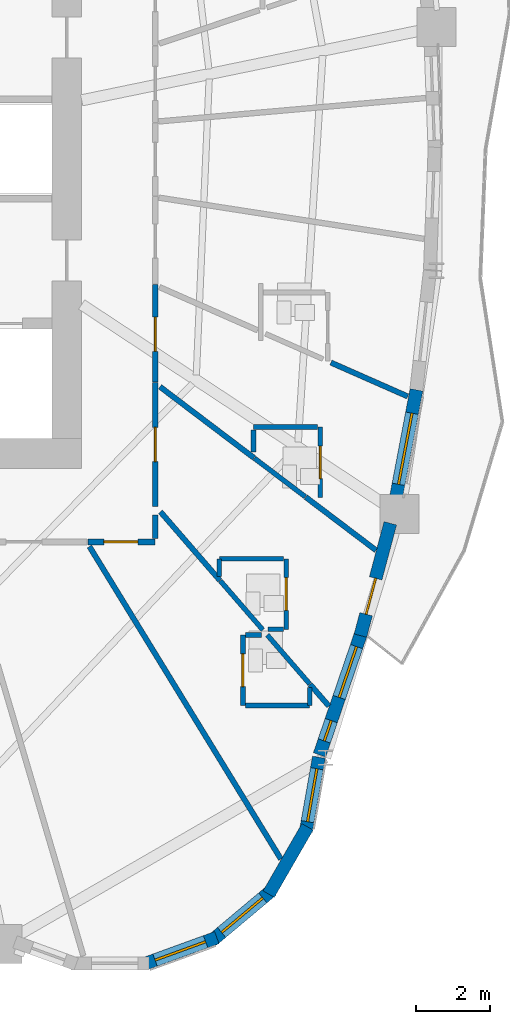
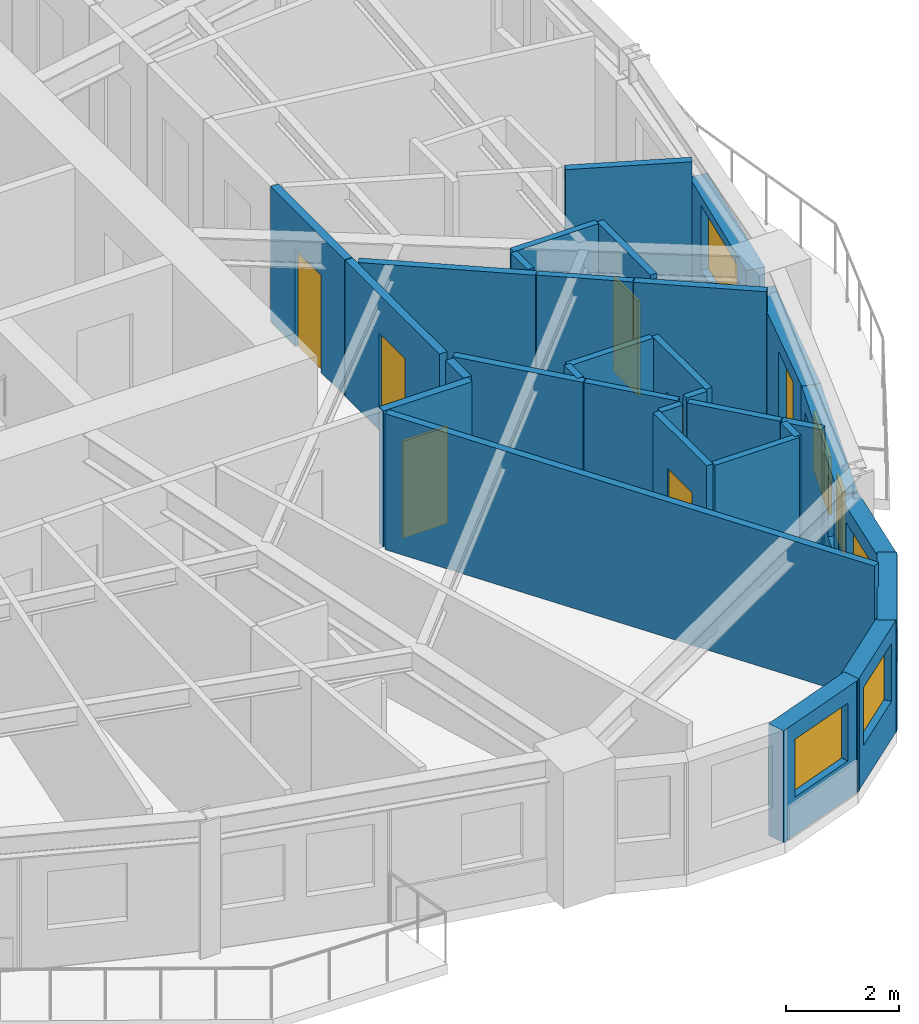
# One storey, part 6 of 13: 31 walls, 7 doors, 6 windows, 13 openings.
"""IFC4 building model written with IfcOpenShell, lengths in metres."""

from ifc_helpers import new_model, si_unit, direction, frame, frame_2d, origin, place, context, subcontext, project, spatial, rectangle, extrude, source, transform, mapped, material, layer, layer_set, type_object, element, fill, save


model = new_model("IFC4")

# Units and contexts
model_context = context("Model", 3, precision=1e-05, world=origin(), true_north=direction((0.0, 1.0)))
body_context = subcontext(model_context, "Body", "Model", "MODEL_VIEW")
ifc_project = project(units=[si_unit("LENGTHUNIT", "METRE"), si_unit("AREAUNIT", "SQUARE_METRE"), si_unit("VOLUMEUNIT", "CUBIC_METRE"), si_unit("PLANEANGLEUNIT", "RADIAN"), si_unit("MASSUNIT", "GRAM", prefix="KILO")], contexts=[model_context])

# Site, building, storey
site_placement = place(None, origin())
site = spatial("IfcSite", under=ifc_project, at=site_placement, CompositionType="ELEMENT")
building_placement = place(site_placement, origin())
building = spatial("IfcBuilding", under=site, at=building_placement, Name="Qafzar Sky-Pleat Residences", CompositionType="ELEMENT")
storey_placement = place(building_placement, frame((0.0, 0.0, 59.0)))
storey = spatial("IfcBuildingStorey", under=building, at=storey_placement, Name="L17", CompositionType="ELEMENT", Elevation=59.0)

# Wall, opening, door
ifc_material_1 = material(Name="Acoustic gypsum plasterboard partition", Category="gypsum")
ifc_layer_1 = layer(ifc_material_1, 0.159912109375)
ifc_layer_set_1 = layer_set([ifc_layer_1], Name="Acoustic gypsum plasterboard partition")
wall_type_1 = type_object("IfcWallType", Name="PART-COR-160", PredefinedType="PARTITIONING", material=ifc_layer_set_1)
wall_1_placement = place(storey_placement, frame((38.679931640625, 19.712890625, 0.0), z_axis=(0.0, 0.0, 1.0), x_axis=(0.0, -1.0, 0.0)))
wall_1 = element("IfcWall", 1, at=wall_1_placement, inside=storey, type_object=wall_type_1, Name="L17 Partition Wall PART-L17-PW-008", PredefinedType="PARTITIONING", context=body_context, shape_type="SweptSolid", body=[
    extrude(rectangle(XDim=3.343994140625, YDim=0.159912109375, at=frame_2d((1.671875, 0.0))), origin(), (0.0, 0.0, 1.0), 2.93994140625),
])
opening_1_placement = place(wall_1_placement, frame((1.2099609375, 0.0, 0.0)))
opening_1 = element("IfcOpeningElement", 2, at=opening_1_placement, cuts=wall_1, Name="Opening ID-04", PredefinedType="OPENING", context=body_context, shape_type="SweptSolid", body=[
    extrude(rectangle(XDim=0.919921875, YDim=2.10009765625, at=frame_2d((0.4599609375, 1.050048828125))), frame((0.0, 0.08984375, 0.0), z_axis=(0.0, -1.0, 0.0), x_axis=(1.0, 0.0, 0.0)), (0.0, 0.0, 1.0), 0.179931640625),
])
ifc_material_2 = material(Name="Timber-faced fire door", Category="wood")
door_type_1 = type_object("IfcDoorType", Name="DR-BED-920", OperationType="NOTDEFINED", PredefinedType="DOOR", material=ifc_material_2)
shared_shape_1 = source(origin(), body_context, "Body", "SweptSolid", [
    extrude(rectangle(XDim=0.919921875, YDim=2.10009765625, at=frame_2d((0.4599609375, 1.050048828125))), frame((0.0, 0.02490234375, 0.0), z_axis=(0.0, -1.0, 0.0), x_axis=(1.0, 0.0, 0.0)), (0.0, 0.0, 1.0), 0.050048828125),
])
door_1_placement = place(opening_1_placement, origin())
door_1 = element("IfcDoor", 3, at=door_1_placement, inside=storey, type_object=door_type_1, Name="L17 Co-Living Bedroom 2 Door", OperationType="SINGLE_SWING_RIGHT", OverallHeight=2.10009765625, OverallWidth=0.919921875, PredefinedType="DOOR", context=body_context, shape_type="MappedRepresentation", body=[
    mapped(shared_shape_1, transform((0.0, 0.0, 0.0), x_axis=(1.0, 0.0, 0.0), y_axis=(0.0, 1.0, 0.0), z_axis=(0.0, 0.0, 1.0), scale=1.0)),
])
fill(opening_1, door_1)

wall_2_placement = place(storey_placement, frame((38.679931640625, 22.347900390625, 0.0), z_axis=(0.0, 0.0, 1.0), x_axis=(0.0, -1.0, 0.0)))
wall_2 = element("IfcWall", 4, at=wall_2_placement, inside=storey, type_object=wall_type_1, Name="L17 Partition Wall PART-L17-PW-013", PredefinedType="PARTITIONING", context=body_context, shape_type="SweptSolid", body=[
    extrude(rectangle(XDim=2.619873046875, YDim=0.159912109375, at=frame_2d((1.31005859375, 0.0))), origin(), (0.0, 0.0, 1.0), 2.93994140625),
])
opening_2_placement = place(wall_2_placement, frame((0.87548828125, 0.0, 0.0)))
opening_2 = element("IfcOpeningElement", 5, at=opening_2_placement, cuts=wall_2, Name="Opening ID-04", PredefinedType="OPENING", context=body_context, shape_type="SweptSolid", body=[
    extrude(rectangle(XDim=0.919921875, YDim=2.10009765625, at=frame_2d((0.4599609375, 1.050048828125))), frame((0.0, 0.08984375, 0.0), z_axis=(0.0, -1.0, 0.0), x_axis=(1.0, 0.0, 0.0)), (0.0, 0.0, 1.0), 0.179931640625),
])
door_2_placement = place(opening_2_placement, origin())
door_2 = element("IfcDoor", 6, at=door_2_placement, inside=storey, type_object=door_type_1, Name="L17 Co-Living Bedroom 3 Door", OperationType="SINGLE_SWING_LEFT", OverallHeight=2.10009765625, OverallWidth=0.919921875, PredefinedType="DOOR", context=body_context, shape_type="MappedRepresentation", body=[
    mapped(shared_shape_1, transform((0.0, 0.0, 0.0), x_axis=(1.0, 0.0, 0.0), y_axis=(0.0, 1.0, 0.0), z_axis=(0.0, 0.0, 1.0), scale=1.0)),
])
fill(opening_2, door_2)

wall_3_placement = place(storey_placement, frame((38.679931640625, 15.419921875, 0.0), z_axis=(0.0, 0.0, 1.0), x_axis=(-1.0, 0.0, 0.0)))
wall_3 = element("IfcWall", 7, at=wall_3_placement, inside=storey, type_object=wall_type_1, Name="L17 Partition Wall PART-L17-PW-027", PredefinedType="PARTITIONING", context=body_context, shape_type="SweptSolid", body=[
    extrude(rectangle(XDim=1.81591796875, YDim=0.159912109375, at=frame_2d((0.907958984375, 0.0))), origin(), (0.0, 0.0, 1.0), 2.93994140625),
])
opening_3_placement = place(wall_3_placement, frame((0.464111328125, 0.0, 0.0)))
opening_3 = element("IfcOpeningElement", 8, at=opening_3_placement, cuts=wall_3, Name="Opening ID-04", PredefinedType="OPENING", context=body_context, shape_type="SweptSolid", body=[
    extrude(rectangle(XDim=0.919921875, YDim=2.10009765625, at=frame_2d((0.4599609375, 1.050048828125))), frame((0.0, 0.08984375, 0.0), z_axis=(0.0, -1.0, 0.0), x_axis=(1.0, 0.0, 0.0)), (0.0, 0.0, 1.0), 0.179931640625),
])
door_3_placement = place(opening_3_placement, origin())
door_3 = element("IfcDoor", 9, at=door_3_placement, inside=storey, type_object=door_type_1, Name="L17 Co-Living Bedroom 1 Door", OperationType="SINGLE_SWING_LEFT", OverallHeight=2.10009765625, OverallWidth=0.919921875, PredefinedType="DOOR", context=body_context, shape_type="MappedRepresentation", body=[
    mapped(shared_shape_1, transform((0.0, 0.0, 0.0), x_axis=(1.0, 0.0, 0.0), y_axis=(0.0, 1.0, 0.0), z_axis=(0.0, 0.0, 1.0), scale=1.0)),
])
fill(opening_3, door_3)

# Walls
wall_4_placement = place(storey_placement, frame((38.679931640625, 15.508056640625, 0.0), z_axis=(0.0, 0.0, 1.0), x_axis=(0.0, 1.0, 0.0)))
element("IfcWall", 10, at=wall_4_placement, inside=storey, type_object=wall_type_1, Name="L17 Partition Wall PART-L17-PW-084", PredefinedType="PARTITIONING", context=body_context, shape_type="SweptSolid", body=[
    extrude(rectangle(XDim=0.635009765625, YDim=0.159912109375, at=frame_2d((0.3173828125, 0.0))), origin(), (0.0, 0.0, 1.0), 2.93994140625),
])
ifc_layer_2 = layer(ifc_material_1, 0.14501953125)
ifc_layer_set_2 = layer_set([ifc_layer_2], Name="Acoustic gypsum plasterboard partition")
wall_type_2 = type_object("IfcWallType", Name="PART-UNIT-145", PredefinedType="PARTITIONING", material=ifc_layer_set_2)
wall_5_placement = place(storey_placement, frame((36.908447265625, 15.29541015625, 0.0), z_axis=(0.0, 0.0, 1.0), x_axis=(0.522407183079, -0.852696156358, 0.0)))
element("IfcWall", 11, at=wall_5_placement, inside=storey, type_object=wall_type_2, Name="L17 Partition Wall PART-L17-PW-038", PredefinedType="PARTITIONING", context=body_context, shape_type="SweptSolid", body=[
    extrude(rectangle(XDim=9.8701171875, YDim=0.14501953125, at=frame_2d((4.93505859375, 0.0))), origin(), (0.0, 0.0, 1.0), 2.93994140625),
])
wall_6_placement = place(storey_placement, frame((38.81005859375, 19.595458984375, 0.0), z_axis=(0.0, 0.0, 1.0), x_axis=(0.797304275437, -0.603577577756, 0.0)))
element("IfcWall", 12, at=wall_6_placement, inside=storey, type_object=wall_type_2, Name="L17 Partition Wall PART-L17-PW-052", PredefinedType="PARTITIONING", context=body_context, shape_type="SweptSolid", body=[
    extrude(rectangle(XDim=3.172119140625, YDim=0.14501953125, at=frame_2d((1.5859375, 0.0))), origin(), (0.0, 0.0, 1.0), 2.93994140625),
])
wall_7_placement = place(storey_placement, frame((38.820068359375, 16.23046875, 0.0), z_axis=(0.0, 0.0, 1.0), x_axis=(0.655037088123, -0.755596726556, 0.0)))
element("IfcWall", 13, at=wall_7_placement, inside=storey, type_object=wall_type_2, Name="L17 Partition Wall PART-L17-PW-055", PredefinedType="PARTITIONING", context=body_context, shape_type="SweptSolid", body=[
    extrude(rectangle(XDim=2.4423828125, YDim=0.14501953125, at=frame_2d((1.22119140625, 0.0))), origin(), (0.0, 0.0, 1.0), 2.93994140625),
])
wall_8_placement = place(storey_placement, frame((43.40966796875, 20.248291015625, 0.0), z_axis=(0.0, 0.0, 1.0), x_axis=(0.915032786041, -0.403379474527, 0.0)))
element("IfcWall", 14, at=wall_8_placement, inside=storey, type_object=wall_type_2, Name="L17 Partition Wall PART-L17-PW-057", PredefinedType="PARTITIONING", context=body_context, shape_type="SweptSolid", body=[
    extrude(rectangle(XDim=2.25927734375, YDim=0.14501953125, at=frame_2d((1.129638671875, 0.0))), origin(), (0.0, 0.0, 1.0), 2.93994140625),
])
wall_9_placement = place(storey_placement, frame((42.73291015625, 16.6259765625, 0.0), z_axis=(0.0, 0.0, 1.0), x_axis=(0.797372907097, -0.603486907089, 0.0)))
element("IfcWall", 15, at=wall_9_placement, inside=storey, type_object=wall_type_2, Name="L17 Partition Wall PART-L17-PW-058", PredefinedType="PARTITIONING", context=body_context, shape_type="SweptSolid", body=[
    extrude(rectangle(XDim=2.37109375, YDim=0.14501953125, at=frame_2d((1.185546875, 0.0))), origin(), (0.0, 0.0, 1.0), 2.93994140625),
])
wall_10_placement = place(storey_placement, frame((42.848876953125, 11.583740234375, 0.0), z_axis=(0.0, 0.0, 1.0), x_axis=(0.655530542193, -0.755168662123, 0.0)))
element("IfcWall", 16, at=wall_10_placement, inside=storey, type_object=wall_type_2, Name="L17 Partition Wall PART-L17-PW-086", PredefinedType="PARTITIONING", context=body_context, shape_type="SweptSolid", body=[
    extrude(rectangle(XDim=0.774169921875, YDim=0.14501953125, at=frame_2d((0.38720703125, 0.0))), origin(), (0.0, 0.0, 1.0), 2.93994140625),
])

# Wall, opening, door
ifc_material_3 = material(Name="Moisture-resistant gypsum partition", Category="gypsum")
ifc_layer_3 = layer(ifc_material_3, 0.1298828125)
ifc_layer_set_3 = layer_set([ifc_layer_3], Name="Moisture-resistant gypsum partition")
wall_type_3 = type_object("IfcWallType", Name="PART-WET-130", PredefinedType="PARTITIONING", material=ifc_layer_set_3)
wall_11_placement = place(storey_placement, frame((41.0390625, 12.9140625, 0.0), z_axis=(0.0, 0.0, 1.0), x_axis=(0.0, -1.0, 0.0)))
wall_11 = element("IfcWall", 17, at=wall_11_placement, inside=storey, type_object=wall_type_3, Name="L17 Partition Wall PART-L17-PW-020", PredefinedType="PARTITIONING", context=body_context, shape_type="SweptSolid", body=[
    extrude(rectangle(XDim=1.900146484375, YDim=0.1298828125, at=frame_2d((0.9501953125, 0.0))), origin(), (0.0, 0.0, 1.0), 2.93994140625),
])
opening_4_placement = place(wall_11_placement, frame((0.510009765625, 0.0, 0.0)))
opening_4 = element("IfcOpeningElement", 18, at=opening_4_placement, cuts=wall_11, Name="Opening ID-07", PredefinedType="OPENING", context=body_context, shape_type="SweptSolid", body=[
    extrude(rectangle(XDim=0.8798828125, YDim=2.050048828125, at=frame_2d((0.43994140625, 1.02490234375))), frame((0.0, 0.074951171875, 0.0), z_axis=(0.0, -1.0, 0.0), x_axis=(1.0, 0.0, 0.0)), (0.0, 0.0, 1.0), 0.14990234375),
])
door_type_2 = type_object("IfcDoorType", Name="DR-WET-880", OperationType="NOTDEFINED", PredefinedType="DOOR", material=ifc_material_2)
shared_shape_2 = source(origin(), body_context, "Body", "SweptSolid", [
    extrude(rectangle(XDim=0.8798828125, YDim=2.050048828125, at=frame_2d((0.43994140625, 1.02490234375))), frame((0.0, 0.02490234375, 0.0), z_axis=(0.0, -1.0, 0.0), x_axis=(1.0, 0.0, 0.0)), (0.0, 0.0, 1.0), 0.050048828125),
])
door_4_placement = place(opening_4_placement, origin())
door_4 = element("IfcDoor", 19, at=door_4_placement, inside=storey, type_object=door_type_2, Name="L17 En-suite Bathroom 1 Door", OperationType="SINGLE_SWING_RIGHT", OverallHeight=2.050048828125, OverallWidth=0.8798828125, PredefinedType="DOOR", context=body_context, shape_type="MappedRepresentation", body=[
    mapped(shared_shape_2, transform((0.0, 0.0, 0.0), x_axis=(1.0, 0.0, 0.0), y_axis=(0.0, 1.0, 0.0), z_axis=(0.0, 0.0, 1.0), scale=1.0)),
])
fill(opening_4, door_4)

wall_12_placement = place(storey_placement, frame((42.205078125, 13.06591796875, 0.0), z_axis=(0.0, 0.0, 1.0), x_axis=(0.0, 1.0, 0.0)))
wall_12 = element("IfcWall", 20, at=wall_12_placement, inside=storey, type_object=wall_type_3, Name="L17 Partition Wall PART-L17-PW-022", PredefinedType="PARTITIONING", context=body_context, shape_type="SweptSolid", body=[
    extrude(rectangle(XDim=1.900146484375, YDim=0.1298828125, at=frame_2d((0.9501953125, 0.0))), origin(), (0.0, 0.0, 1.0), 2.93994140625),
])
opening_5_placement = place(wall_12_placement, frame((0.510009765625, 0.0, 0.0)))
opening_5 = element("IfcOpeningElement", 21, at=opening_5_placement, cuts=wall_12, Name="Opening ID-07", PredefinedType="OPENING", context=body_context, shape_type="SweptSolid", body=[
    extrude(rectangle(XDim=0.8798828125, YDim=2.050048828125, at=frame_2d((0.43994140625, 1.02490234375))), frame((0.0, 0.074951171875, 0.0), z_axis=(0.0, -1.0, 0.0), x_axis=(1.0, 0.0, 0.0)), (0.0, 0.0, 1.0), 0.14990234375),
])
door_5_placement = place(opening_5_placement, origin())
door_5 = element("IfcDoor", 22, at=door_5_placement, inside=storey, type_object=door_type_2, Name="L17 En-suite Bathroom 2 Door", OperationType="SINGLE_SWING_RIGHT", OverallHeight=2.050048828125, OverallWidth=0.8798828125, PredefinedType="DOOR", context=body_context, shape_type="MappedRepresentation", body=[
    mapped(shared_shape_2, transform((0.0, 0.0, 0.0), x_axis=(1.0, 0.0, 0.0), y_axis=(0.0, 1.0, 0.0), z_axis=(0.0, 0.0, 1.0), scale=1.0)),
])
fill(opening_5, door_5)

wall_13_placement = place(storey_placement, frame((43.1240234375, 16.611083984375, 0.0), z_axis=(0.0, 0.0, 1.0), x_axis=(0.0, 1.0, 0.0)))
wall_13 = element("IfcWall", 23, at=wall_13_placement, inside=storey, type_object=wall_type_3, Name="L17 Partition Wall PART-L17-PW-023", PredefinedType="PARTITIONING", context=body_context, shape_type="SweptSolid", body=[
    extrude(rectangle(XDim=1.89990234375, YDim=0.1298828125, at=frame_2d((0.949951171875, 0.0))), origin(), (0.0, 0.0, 1.0), 2.93994140625),
])
opening_6_placement = place(wall_13_placement, frame((0.510009765625, 0.0, 0.0)))
opening_6 = element("IfcOpeningElement", 24, at=opening_6_placement, cuts=wall_13, Name="Opening ID-07", PredefinedType="OPENING", context=body_context, shape_type="SweptSolid", body=[
    extrude(rectangle(XDim=0.8798828125, YDim=2.050048828125, at=frame_2d((0.43994140625, 1.02490234375))), frame((0.0, 0.074951171875, 0.0), z_axis=(0.0, -1.0, 0.0), x_axis=(1.0, 0.0, 0.0)), (0.0, 0.0, 1.0), 0.14990234375),
])
door_6_placement = place(opening_6_placement, origin())
door_6 = element("IfcDoor", 25, at=door_6_placement, inside=storey, type_object=door_type_2, Name="L17 En-suite Bathroom 3 Door", OperationType="SINGLE_SWING_LEFT", OverallHeight=2.050048828125, OverallWidth=0.8798828125, PredefinedType="DOOR", context=body_context, shape_type="MappedRepresentation", body=[
    mapped(shared_shape_2, transform((0.0, 0.0, 0.0), x_axis=(1.0, 0.0, 0.0), y_axis=(0.0, 1.0, 0.0), z_axis=(0.0, 0.0, 1.0), scale=1.0)),
])
fill(opening_6, door_6)

# Walls
for number, where, z_axis, x_axis, name in (
    (26, (41.323974609375, 18.510986328125, 0.0), (0.0, 0.0, 1.0), (1.0, 0.0, 0.0), "L17 Partition Wall PART-L17-PW-064"),
    (27, (41.112060546875, 11.013916015625, 0.0), (0.0, 0.0, 1.0), (1.0, 0.0, 0.0), "L17 Partition Wall PART-L17-PW-068"),
    (28, (40.405029296875, 14.966064453125, 0.0), (0.0, 0.0, 1.0), (1.0, 0.0, 0.0), "L17 Partition Wall PART-L17-PW-069"),
):
    element("IfcWall", number, at=place(storey_placement, frame(where, z_axis=z_axis, x_axis=x_axis)), inside=storey, type_object=wall_type_3, Name=name, PredefinedType="PARTITIONING", context=body_context, shape_type="SweptSolid", body=[
        extrude(rectangle(XDim=1.72705078125, YDim=0.1298828125, at=frame_2d((0.863525390625, 0.0))), origin(), (0.0, 0.0, 1.0), 2.93994140625),
    ])
wall_14_placement = place(storey_placement, frame((40.429931640625, 14.373779296875, 0.0), z_axis=(0.0, 0.0, 1.0), x_axis=(0.655121637619, -0.755523421162, 0.0)))
element("IfcWall", 29, at=wall_14_placement, inside=storey, type_object=wall_type_3, Name="L17 Partition Wall PART-L17-PW-073", PredefinedType="PARTITIONING", context=body_context, shape_type="SweptSolid", body=[
    extrude(rectangle(XDim=1.750732421875, YDim=0.1298828125, at=frame_2d((0.87548828125, 0.0))), origin(), (0.0, 0.0, 1.0), 2.93994140625),
])
wall_15_placement = place(storey_placement, frame((41.696044921875, 12.9140625, 0.0), z_axis=(0.0, 0.0, 1.0), x_axis=(0.654882611276, -0.755730616985, 0.0)))
element("IfcWall", 30, at=wall_15_placement, inside=storey, type_object=wall_type_3, Name="L17 Partition Wall PART-L17-PW-074", PredefinedType="PARTITIONING", context=body_context, shape_type="SweptSolid", body=[
    extrude(rectangle(XDim=1.745361328125, YDim=0.1298828125, at=frame_2d((0.87255859375, 0.0))), origin(), (0.0, 0.0, 1.0), 2.93994140625),
])
wall_16_placement = place(storey_placement, frame((41.35107421875, 17.672119140625, 0.0), z_axis=(0.0, 0.0, 1.0), x_axis=(0.797400841938, -0.603449995672, 0.0)))
element("IfcWall", 31, at=wall_16_placement, inside=storey, type_object=wall_type_3, Name="L17 Partition Wall PART-L17-PW-075", PredefinedType="PARTITIONING", context=body_context, shape_type="SweptSolid", body=[
    extrude(rectangle(XDim=1.71826171875, YDim=0.1298828125, at=frame_2d((0.859130859375, 0.0))), origin(), (0.0, 0.0, 1.0), 2.93994140625),
])
wall_17_placement = place(storey_placement, frame((41.323974609375, 17.841064453125, 0.0), z_axis=(0.0, 0.0, 1.0), x_axis=(0.0, 1.0, 0.0)))
element("IfcWall", 32, at=wall_17_placement, inside=storey, type_object=wall_type_3, Name="L17 Partition Wall PART-L17-PW-085", PredefinedType="PARTITIONING", context=body_context, shape_type="SweptSolid", body=[
    extrude(rectangle(XDim=0.596923828125, YDim=0.1298828125, at=frame_2d((0.29833984375, 0.0))), origin(), (0.0, 0.0, 1.0), 2.93994140625),
])
wall_18_placement = place(storey_placement, frame((41.112060546875, 12.9140625, 0.0), z_axis=(0.0, 0.0, 1.0), x_axis=(1.0, 0.0, 0.0)))
element("IfcWall", 33, at=wall_18_placement, inside=storey, type_object=wall_type_3, Name="L17 Partition Wall PART-L17-PW-087", PredefinedType="PARTITIONING", context=body_context, shape_type="SweptSolid", body=[
    extrude(rectangle(XDim=0.43359375, YDim=0.1298828125, at=frame_2d((0.216796875, 0.0))), origin(), (0.0, 0.0, 1.0), 2.93994140625),
])
wall_19_placement = place(storey_placement, frame((41.71435546875, 13.06591796875, 0.0), z_axis=(0.0, 0.0, 1.0), x_axis=(1.0, 0.0, 0.0)))
element("IfcWall", 34, at=wall_19_placement, inside=storey, type_object=wall_type_3, Name="L17 Partition Wall PART-L17-PW-088", PredefinedType="PARTITIONING", context=body_context, shape_type="SweptSolid", body=[
    extrude(rectangle(XDim=0.417724609375, YDim=0.1298828125, at=frame_2d((0.208984375, 0.0))), origin(), (0.0, 0.0, 1.0), 2.93994140625),
])
wall_20_placement = place(storey_placement, frame((42.839111328125, 11.013916015625, 0.0), z_axis=(0.0, 0.0, 1.0), x_axis=(0.0, 1.0, 0.0)))
element("IfcWall", 35, at=wall_20_placement, inside=storey, type_object=wall_type_3, Name="L17 Partition Wall PART-L17-PW-089", PredefinedType="PARTITIONING", context=body_context, shape_type="SweptSolid", body=[
    extrude(rectangle(XDim=0.490966796875, YDim=0.1298828125, at=frame_2d((0.24560546875, 0.0))), origin(), (0.0, 0.0, 1.0), 2.93994140625),
])
wall_21_placement = place(storey_placement, frame((40.405029296875, 14.492919921875, 0.0), z_axis=(0.0, 0.0, 1.0), x_axis=(0.0, 1.0, 0.0)))
element("IfcWall", 36, at=wall_21_placement, inside=storey, type_object=wall_type_3, Name="L17 Partition Wall PART-L17-PW-090", PredefinedType="PARTITIONING", context=body_context, shape_type="SweptSolid", body=[
    extrude(rectangle(XDim=0.47314453125, YDim=0.1298828125, at=frame_2d((0.236572265625, 0.0))), origin(), (0.0, 0.0, 1.0), 2.93994140625),
])

# Wall, opening, window
ifc_material_4 = material(Name="Precast concrete C40/50 with honed Riyadh limestone", Category="concrete")
ifc_layer_4 = layer(ifc_material_4, 0.35009765625)
ifc_layer_set_4 = layer_set([ifc_layer_4], Name="Precast concrete C40/50 with honed Riyadh limestone")
wall_type_4 = type_object("IfcWallType", Name="WALL-EXT-350", PredefinedType="SOLIDWALL", material=ifc_layer_set_4)
wall_22_placement = place(storey_placement, frame((38.3740234375, 4.050048828125, 0.0), z_axis=(0.0, 0.0, 1.0), x_axis=(0.939711556618, 0.341968113072, 0.0)))
wall_22 = element("IfcWall", 37, at=wall_22_placement, inside=storey, type_object=wall_type_4, Name="L17 Limestone Facade Wall 19", PredefinedType="SOLIDWALL", context=body_context, shape_type="SweptSolid", body=[
    extrude(rectangle(XDim=2.09033203125, YDim=0.35009765625, at=frame_2d((1.045166015625, 0.0))), origin(), (0.0, 0.0, 1.0), 2.419921875),
])
opening_7_placement = place(wall_22_placement, frame((0.320068359375, 0.0, 0.820068359375)))
opening_7 = element("IfcOpeningElement", 38, at=opening_7_placement, cuts=wall_22, Name="Opening WN-15", PredefinedType="OPENING", context=body_context, shape_type="SweptSolid", body=[
    extrude(rectangle(XDim=1.449951171875, YDim=1.25, at=frame_2d((0.72509765625, 0.625))), frame((0.0, 0.18505859375, 0.0), z_axis=(0.0, -1.0, 0.0), x_axis=(1.0, 0.0, 0.0)), (0.0, 0.0, 1.0), 0.3701171875),
])
ifc_material_5 = material(Name="Solar-control low-E glass in bronze aluminium frame", Category="glass")
window_type_1 = type_object("IfcWindowType", Name="WIN-15", PartitioningType="SINGLE_PANEL", PredefinedType="WINDOW", material=ifc_material_5)
shared_shape_3 = source(origin(), body_context, "Body", "SweptSolid", [
    extrude(rectangle(XDim=1.449951171875, YDim=1.25, at=frame_2d((0.72509765625, 0.625))), frame((0.0, 0.030029296875, 0.0), z_axis=(0.0, -1.0, 0.0), x_axis=(1.0, 0.0, 0.0)), (0.0, 0.0, 1.0), 0.06005859375),
])
window_1_placement = place(opening_7_placement, origin())
window_1 = element("IfcWindow", 39, at=window_1_placement, inside=storey, type_object=window_type_1, Name="L17 Punched Facade Window 19", OverallHeight=1.25, OverallWidth=1.449951171875, PartitioningType="SINGLE_PANEL", PredefinedType="WINDOW", context=body_context, shape_type="MappedRepresentation", body=[
    mapped(shared_shape_3, transform((0.0, 0.0, 0.0), x_axis=(1.0, 0.0, 0.0), y_axis=(0.0, 1.0, 0.0), z_axis=(0.0, 0.0, 1.0), scale=1.0)),
])
fill(opening_7, window_1)

wall_23_placement = place(storey_placement, frame((40.220947265625, 4.697021484375, 0.0), z_axis=(0.0, 0.0, 1.0), x_axis=(0.766024572719, 0.642811289563, 0.0)))
wall_23 = element("IfcWall", 40, at=wall_23_placement, inside=storey, type_object=wall_type_4, Name="L17 Limestone Facade Wall 20", PredefinedType="SOLIDWALL", context=body_context, shape_type="SweptSolid", body=[
    extrude(rectangle(XDim=2.09033203125, YDim=0.35009765625, at=frame_2d((1.045166015625, 0.0))), origin(), (0.0, 0.0, 1.0), 2.419921875),
])
opening_8_placement = place(wall_23_placement, frame((0.3203125, 0.0, 0.820068359375)))
opening_8 = element("IfcOpeningElement", 41, at=opening_8_placement, cuts=wall_23, Name="Opening WN-15", PredefinedType="OPENING", context=body_context, shape_type="SweptSolid", body=[
    extrude(rectangle(XDim=1.449951171875, YDim=1.25, at=frame_2d((0.72509765625, 0.625))), frame((0.0, 0.18505859375, 0.0), z_axis=(0.0, -1.0, 0.0), x_axis=(1.0, 0.0, 0.0)), (0.0, 0.0, 1.0), 0.3701171875),
])
window_2_placement = place(opening_8_placement, origin())
window_2 = element("IfcWindow", 42, at=window_2_placement, inside=storey, type_object=window_type_1, Name="L17 Punched Facade Window 20", OverallHeight=1.25, OverallWidth=1.449951171875, PartitioningType="SINGLE_PANEL", PredefinedType="WINDOW", context=body_context, shape_type="MappedRepresentation", body=[
    mapped(shared_shape_3, transform((0.0, 0.0, 0.0), x_axis=(1.0, 0.0, 0.0), y_axis=(0.0, 1.0, 0.0), z_axis=(0.0, 0.0, 1.0), scale=1.0)),
])
fill(opening_8, window_2)

# Wall
wall_24_placement = place(storey_placement, frame((41.735107421875, 5.93701171875, 0.0), z_axis=(0.0, 0.0, 1.0), x_axis=(0.49990781971, 0.866078617559, 0.0)))
element("IfcWall", 43, at=wall_24_placement, inside=storey, type_object=wall_type_4, Name="L17 Limestone Facade Wall 21", PredefinedType="SOLIDWALL", context=body_context, shape_type="SweptSolid", body=[
    extrude(rectangle(XDim=2.09033203125, YDim=0.35009765625, at=frame_2d((1.045166015625, 0.0))), origin(), (0.0, 0.0, 1.0), 2.419921875),
])

# Wall, opening, window
wall_25_placement = place(storey_placement, frame((42.73388671875, 7.619873046875, 0.0), z_axis=(0.0, 0.0, 1.0), x_axis=(0.173607131876, 0.984814989611, 0.0)))
wall_25 = element("IfcWall", 44, at=wall_25_placement, inside=storey, type_object=wall_type_4, Name="L17 Limestone Facade Wall 22", PredefinedType="SOLIDWALL", context=body_context, shape_type="SweptSolid", body=[
    extrude(rectangle(XDim=2.031982421875, YDim=0.35009765625, at=frame_2d((1.01611328125, 0.0))), origin(), (0.0, 0.0, 1.0), 2.419921875),
])
opening_9_placement = place(wall_25_placement, frame((0.27001953125, 0.0, 0.820068359375)))
opening_9 = element("IfcOpeningElement", 45, at=opening_9_placement, cuts=wall_25, Name="Opening WN-15", PredefinedType="OPENING", context=body_context, shape_type="SweptSolid", body=[
    extrude(rectangle(XDim=1.449951171875, YDim=1.25, at=frame_2d((0.72509765625, 0.625))), frame((0.0, 0.18505859375, 0.0), z_axis=(0.0, -1.0, 0.0), x_axis=(1.0, 0.0, 0.0)), (0.0, 0.0, 1.0), 0.3701171875),
])
window_3_placement = place(opening_9_placement, origin())
window_3 = element("IfcWindow", 46, at=window_3_placement, inside=storey, type_object=window_type_1, Name="L17 Punched Facade Window 22", OverallHeight=1.25, OverallWidth=1.449951171875, PartitioningType="SINGLE_PANEL", PredefinedType="WINDOW", context=body_context, shape_type="MappedRepresentation", body=[
    mapped(shared_shape_3, transform((0.0, 0.0, 0.0), x_axis=(1.0, 0.0, 0.0), y_axis=(0.0, 1.0, 0.0), z_axis=(0.0, 0.0, 1.0), scale=1.0)),
])
fill(opening_9, window_3)

# Wall, openings, windows
wall_26_placement = place(storey_placement, frame((43.103515625, 9.68603515625, 0.0), z_axis=(0.0, 0.0, 1.0), x_axis=(0.323558843572, 0.946208050455, 0.0)))
wall_26 = element("IfcWall", 47, at=wall_26_placement, inside=storey, type_object=wall_type_4, Name="L17 Limestone Facade Wall 23", PredefinedType="SOLIDWALL", context=body_context, shape_type="SweptSolid", body=[
    extrude(rectangle(XDim=3.482177734375, YDim=0.35009765625, at=frame_2d((1.7412109375, 0.0))), origin(), (0.0, 0.0, 1.0), 2.419921875),
])
opening_10_placement = place(wall_26_placement, frame((0.39599609375, 0.0, 0.820068359375)))
opening_10 = element("IfcOpeningElement", 48, at=opening_10_placement, cuts=wall_26, Name="Opening WN-17", PredefinedType="OPENING", context=body_context, shape_type="SweptSolid", body=[
    extrude(rectangle(XDim=0.580078125, YDim=1.35009765625, at=frame_2d((0.2900390625, 0.675048828125))), frame((0.0, 0.18505859375, 0.0), z_axis=(0.0, -1.0, 0.0), x_axis=(1.0, 0.0, 0.0)), (0.0, 0.0, 1.0), 0.3701171875),
])
opening_11_placement = place(wall_26_placement, frame((1.632080078125, 0.0, 0.820068359375)))
opening_11 = element("IfcOpeningElement", 49, at=opening_11_placement, cuts=wall_26, Name="Opening WN-15", PredefinedType="OPENING", context=body_context, shape_type="SweptSolid", body=[
    extrude(rectangle(XDim=1.449951171875, YDim=1.25, at=frame_2d((0.72509765625, 0.625))), frame((0.0, 0.18505859375, 0.0), z_axis=(0.0, -1.0, 0.0), x_axis=(1.0, 0.0, 0.0)), (0.0, 0.0, 1.0), 0.3701171875),
])
window_4_placement = place(opening_11_placement, origin())
window_4 = element("IfcWindow", 50, at=window_4_placement, inside=storey, type_object=window_type_1, Name="L17 Punched Facade Window 23-2", OverallHeight=1.25, OverallWidth=1.449951171875, PartitioningType="SINGLE_PANEL", PredefinedType="WINDOW", context=body_context, shape_type="MappedRepresentation", body=[
    mapped(shared_shape_3, transform((0.0, 0.0, 0.0), x_axis=(1.0, 0.0, 0.0), y_axis=(0.0, 1.0, 0.0), z_axis=(0.0, 0.0, 1.0), scale=1.0)),
])
fill(opening_11, window_4)
window_type_2 = type_object("IfcWindowType", Name="WIN-17", PartitioningType="SINGLE_PANEL", PredefinedType="WINDOW", material=ifc_material_5)
shared_shape_4 = source(origin(), body_context, "Body", "SweptSolid", [
    extrude(rectangle(XDim=0.580078125, YDim=1.35009765625, at=frame_2d((0.2900390625, 0.675048828125))), frame((0.0, 0.030029296875, 0.0), z_axis=(0.0, -1.0, 0.0), x_axis=(1.0, 0.0, 0.0)), (0.0, 0.0, 1.0), 0.06005859375),
])
window_5_placement = place(opening_10_placement, origin())
window_5 = element("IfcWindow", 51, at=window_5_placement, inside=storey, type_object=window_type_2, Name="L17 Punched Facade Window 23", OverallHeight=1.35009765625, OverallWidth=0.580078125, PartitioningType="SINGLE_PANEL", PredefinedType="WINDOW", context=body_context, shape_type="MappedRepresentation", body=[
    mapped(shared_shape_4, transform((0.0, 0.0, 0.0), x_axis=(1.0, 0.0, 0.0), y_axis=(0.0, 1.0, 0.0), z_axis=(0.0, 0.0, 1.0), scale=1.0)),
])
fill(opening_10, window_5)

# Wall, opening, door
wall_27_placement = place(storey_placement, frame((44.20458984375, 12.896728515625, 0.0), z_axis=(0.0, 0.0, 1.0), x_axis=(0.257099428233, 0.966384956424, 0.0)))
wall_27 = element("IfcWall", 52, at=wall_27_placement, inside=storey, type_object=wall_type_4, Name="L17 Limestone Facade Wall 24", PredefinedType="SOLIDWALL", context=body_context, shape_type="SweptSolid", body=[
    extrude(rectangle(XDim=3.1298828125, YDim=0.35009765625, at=frame_2d((1.56494140625, 0.0))), origin(), (0.0, 0.0, 1.0), 2.419921875),
])
opening_12_placement = place(wall_27_placement, frame((0.595458984375, 0.0, 0.0)))
opening_12 = element("IfcOpeningElement", 53, at=opening_12_placement, cuts=wall_27, Name="Opening ED-05", PredefinedType="OPENING", context=body_context, shape_type="SweptSolid", body=[
    extrude(rectangle(XDim=1.0, YDim=2.10009765625, at=frame_2d((0.5, 1.050048828125))), frame((0.0, 0.18505859375, 0.0), z_axis=(0.0, -1.0, 0.0), x_axis=(1.0, 0.0, 0.0)), (0.0, 0.0, 1.0), 0.3701171875),
])
ifc_material_6 = material(Name="Glazed bronze aluminium door", Category="aluminium")
door_type_3 = type_object("IfcDoorType", Name="DR-BAL-1000", OperationType="NOTDEFINED", PredefinedType="DOOR", material=ifc_material_6)
shared_shape_5 = source(origin(), body_context, "Body", "SweptSolid", [
    extrude(rectangle(XDim=1.0, YDim=2.10009765625, at=frame_2d((0.5, 1.050048828125))), frame((0.0, 0.02490234375, 0.0), z_axis=(0.0, -1.0, 0.0), x_axis=(1.0, 0.0, 0.0)), (0.0, 0.0, 1.0), 0.050048828125),
])
door_7_placement = place(opening_12_placement, origin())
door_7 = element("IfcDoor", 54, at=door_7_placement, inside=storey, type_object=door_type_3, Name="L17 Glazed Balcony Door 1", OperationType="SINGLE_SWING_LEFT", OverallHeight=2.10009765625, OverallWidth=1.0, PredefinedType="DOOR", context=body_context, shape_type="MappedRepresentation", body=[
    mapped(shared_shape_5, transform((0.0, 0.0, 0.0), x_axis=(1.0, 0.0, 0.0), y_axis=(0.0, 1.0, 0.0), z_axis=(0.0, 0.0, 1.0), scale=1.0)),
])
fill(opening_12, door_7)

# Wall, opening, window
wall_28_placement = place(storey_placement, frame((45.1396484375, 16.49365234375, 0.0), z_axis=(0.0, 0.0, 1.0), x_axis=(0.186608529586, 0.982434352354, 0.0)))
wall_28 = element("IfcWall", 55, at=wall_28_placement, inside=storey, type_object=wall_type_4, Name="L17 Limestone Facade Wall 25", PredefinedType="SOLIDWALL", context=body_context, shape_type="SweptSolid", body=[
    extrude(rectangle(XDim=3.074462890625, YDim=0.35009765625, at=frame_2d((1.537109375, 0.0))), origin(), (0.0, 0.0, 1.0), 2.419921875),
])
opening_13_placement = place(wall_28_placement, frame((0.484375, 0.0, 0.820068359375)))
opening_13 = element("IfcOpeningElement", 56, at=opening_13_placement, cuts=wall_28, Name="Opening WN-08", PredefinedType="OPENING", context=body_context, shape_type="SweptSolid", body=[
    extrude(rectangle(XDim=1.949951171875, YDim=1.39990234375, at=frame_2d((0.97509765625, 0.699951171875))), frame((0.0, 0.18505859375, 0.0), z_axis=(0.0, -1.0, 0.0), x_axis=(1.0, 0.0, 0.0)), (0.0, 0.0, 1.0), 0.3701171875),
])
window_type_3 = type_object("IfcWindowType", Name="WIN-08", PartitioningType="DOUBLE_PANEL_VERTICAL", PredefinedType="WINDOW", material=ifc_material_5)
shared_shape_6 = source(origin(), body_context, "Body", "SweptSolid", [
    extrude(rectangle(XDim=1.949951171875, YDim=1.39990234375, at=frame_2d((0.97509765625, 0.699951171875))), frame((0.0, 0.030029296875, 0.0), z_axis=(0.0, -1.0, 0.0), x_axis=(1.0, 0.0, 0.0)), (0.0, 0.0, 1.0), 0.06005859375),
])
window_6_placement = place(opening_13_placement, origin())
window_6 = element("IfcWindow", 57, at=window_6_placement, inside=storey, type_object=window_type_3, Name="L17 Punched Facade Window 25", OverallHeight=1.39990234375, OverallWidth=1.949951171875, PartitioningType="SINGLE_PANEL", PredefinedType="WINDOW", context=body_context, shape_type="MappedRepresentation", body=[
    mapped(shared_shape_6, transform((0.0, 0.0, 0.0), x_axis=(1.0, 0.0, 0.0), y_axis=(0.0, 1.0, 0.0), z_axis=(0.0, 0.0, 1.0), scale=1.0)),
])
fill(opening_13, window_6)

save(model, "model.ifc")
